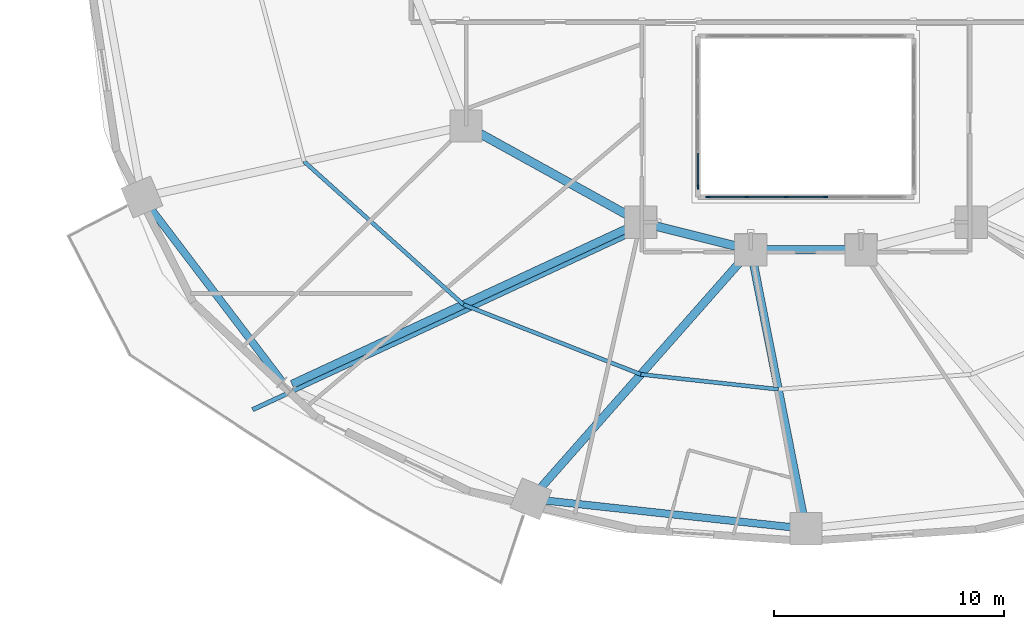
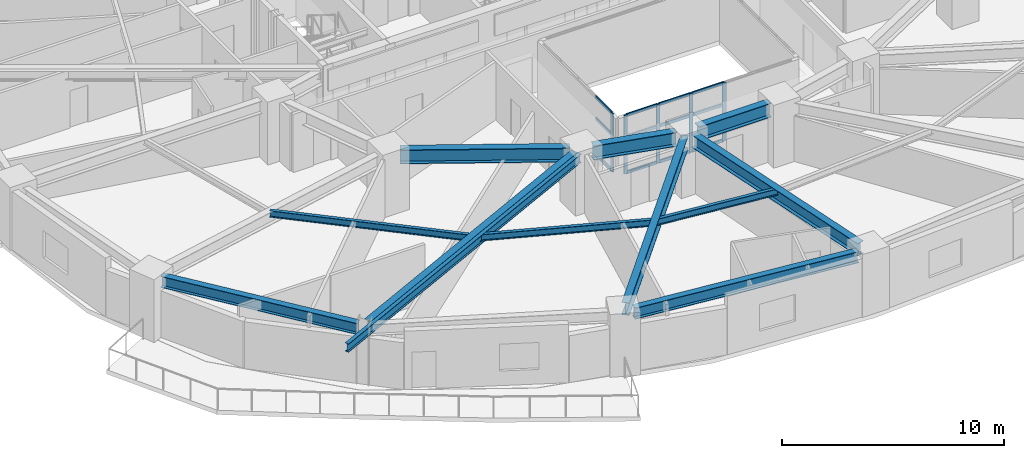
# One storey, part 3 of 17: 17 members, 12 beams, 2 elements without a shape of their own.
"""IFC4 building model written with IfcOpenShell, lengths in metres."""

from ifc_helpers import new_model, si_unit, direction, frame, origin, origin_2d, place, context, subcontext, project, spatial, rectangle, i_section, extrude, material, material_profile, profile_set, type_object, element, aggregate, save


model = new_model("IFC4")

# Units and contexts
model_context = context("Model", 3, precision=1e-05, world=origin(), true_north=direction((0.0, 1.0)))
body_context = subcontext(model_context, "Body", "Model", "MODEL_VIEW")
ifc_project = project(units=[si_unit("LENGTHUNIT", "METRE"), si_unit("AREAUNIT", "SQUARE_METRE"), si_unit("VOLUMEUNIT", "CUBIC_METRE"), si_unit("PLANEANGLEUNIT", "RADIAN"), si_unit("MASSUNIT", "GRAM", prefix="KILO")], contexts=[model_context])

# Site, building, storey
site_placement = place(None, origin())
site = spatial("IfcSite", under=ifc_project, at=site_placement, CompositionType="ELEMENT")
building_placement = place(site_placement, origin())
building = spatial("IfcBuilding", under=site, at=building_placement, Name="Haldorwick Loom Tower", CompositionType="ELEMENT")
storey_placement = place(building_placement, frame((0.0, 0.0, 58.5)))
storey = spatial("IfcBuildingStorey", under=building, at=storey_placement, Name="L15", CompositionType="ELEMENT", Elevation=58.5)

# Curtain wall, members
ifc_material_1 = material(Name="Thermally Broken Anodized Aluminium Curtain Wall Framing", Category="aluminium")
curtain_wall_type = type_object("IfcCurtainWallType", Name="ARC-CW-03", PredefinedType="NOTDEFINED", material=ifc_material_1)
curtain_wall_1_placement = place(storey_placement, origin())
curtain_wall_1 = element("IfcCurtainWall", 1, at=curtain_wall_1_placement, inside=storey, type_object=curtain_wall_type, Name="L15 Atrium Glazed Screen S", PredefinedType="NOTDEFINED")
ifc_material_profile_1 = material_profile(ifc_material_1, rectangle(XDim=0.06591796875, YDim=0.18505859375, at=origin_2d()), Name="ALU_MUL_66X185", Category="aluminium")
ifc_profile_set_1 = profile_set([ifc_material_profile_1], Name="Thermally Broken Anodized Aluminium Curtain Wall Framing")
member_type_1 = type_object("IfcMemberType", Name="ARC-CWM-03", PredefinedType="MULLION", material=ifc_profile_set_1)
member_1_placement = place(storey_placement, frame((36.860107421875, 16.699951171875, 0.0), z_axis=(0.0, 0.0, 1.0), x_axis=(0.0, -1.0, 0.0)))
member_1 = element("IfcMember", 2, at=member_1_placement, type_object=member_type_1, Name="CW-03 mullion 3", PredefinedType="MULLION", context=body_context, shape_type="SweptSolid", body=[
    extrude(rectangle(XDim=0.06591796875, YDim=0.18505859375, at=origin_2d()), origin(), (0.0, 0.0, 1.0), 3.2099609375),
])
member_2_placement = place(storey_placement, frame((35.139892578125, 16.699951171875, 0.0), z_axis=(0.0, 0.0, 1.0), x_axis=(0.0, -1.0, 0.0)))
member_2 = element("IfcMember", 3, at=member_2_placement, type_object=member_type_1, Name="CW-03 mullion 4", PredefinedType="MULLION", context=body_context, shape_type="SweptSolid", body=[
    extrude(rectangle(XDim=0.06591796875, YDim=0.18505859375, at=origin_2d()), origin(), (0.0, 0.0, 1.0), 3.2099609375),
])
member_3_placement = place(storey_placement, frame((33.419921875, 16.699951171875, 0.0), z_axis=(0.0, 0.0, 1.0), x_axis=(0.0, -1.0, 0.0)))
member_3 = element("IfcMember", 4, at=member_3_placement, type_object=member_type_1, Name="CW-03 mullion 5", PredefinedType="MULLION", context=body_context, shape_type="SweptSolid", body=[
    extrude(rectangle(XDim=0.06591796875, YDim=0.18505859375, at=origin_2d()), origin(), (0.0, 0.0, 1.0), 3.2099609375),
])
member_4_placement = place(storey_placement, frame((31.73291015625, 16.699951171875, 0.0), z_axis=(0.0, 0.0, 1.0), x_axis=(0.0, -1.0, 0.0)))
member_4 = element("IfcMember", 5, at=member_4_placement, type_object=member_type_1, Name="CW-03 mullion 6", PredefinedType="MULLION", context=body_context, shape_type="SweptSolid", body=[
    extrude(rectangle(XDim=0.06591796875, YDim=0.18505859375, at=origin_2d()), origin(), (0.0, 0.0, 1.0), 3.2099609375),
])

# Curtain wall, member
curtain_wall_2_placement = place(storey_placement, origin())
curtain_wall_2 = element("IfcCurtainWall", 6, at=curtain_wall_2_placement, inside=storey, type_object=curtain_wall_type, Name="L15 Atrium Glazed Screen W", PredefinedType="NOTDEFINED")
member_5_placement = place(storey_placement, frame((31.300048828125, 17.133056640625, 0.0), z_axis=(0.0, 0.0, 1.0), x_axis=(-1.0, 0.0, 0.0)))
member_5 = element("IfcMember", 7, at=member_5_placement, type_object=member_type_1, Name="CW-03 mullion 1", PredefinedType="MULLION", context=body_context, shape_type="SweptSolid", body=[
    extrude(rectangle(XDim=0.06591796875, YDim=0.18505859375, at=origin_2d()), origin(), (0.0, 0.0, 1.0), 3.2099609375),
])

# Member
ifc_material_profile_2 = material_profile(ifc_material_1, rectangle(XDim=0.06591796875, YDim=0.1650390625, at=origin_2d()), Name="ALU_TRN_66X165", Category="aluminium")
ifc_profile_set_2 = profile_set([ifc_material_profile_2], Name="Thermally Broken Anodized Aluminium Curtain Wall Framing")
member_type_2 = type_object("IfcMemberType", Name="ARC-CWT-03", PredefinedType="USERDEFINED", material=ifc_profile_set_2)
member_6_placement = place(storey_placement, frame((36.826904296875, 16.699951171875, 0.032958984375), z_axis=(-1.0, 0.0, 0.0), x_axis=(0.0, -1.0, 0.0)))
member_6 = element("IfcMember", 8, at=member_6_placement, type_object=member_type_2, Name="CW-03 transom 3.1", ObjectType="TRANSOM", PredefinedType="USERDEFINED", context=body_context, shape_type="SweptSolid", body=[
    extrude(rectangle(XDim=0.06591796875, YDim=0.1650390625, at=origin_2d()), origin(), (0.0, 0.0, 1.0), 1.65380859375),
])

member_7_placement = place(storey_placement, frame((36.826904296875, 16.699951171875, 2.0), z_axis=(-1.0, 0.0, 0.0), x_axis=(0.0, -1.0, 0.0)))
member_7 = element("IfcMember", 9, at=member_7_placement, type_object=member_type_2, Name="CW-03 transom 3.2", ObjectType="TRANSOM", PredefinedType="USERDEFINED", context=body_context, shape_type="SweptSolid", body=[
    extrude(rectangle(XDim=0.06591796875, YDim=0.1650390625, at=origin_2d()), origin(), (0.0, 0.0, 1.0), 1.65380859375),
])

member_8_placement = place(storey_placement, frame((36.826904296875, 16.699951171875, 3.177001953125), z_axis=(-1.0, 0.0, 0.0), x_axis=(0.0, -1.0, 0.0)))
member_8 = element("IfcMember", 10, at=member_8_placement, type_object=member_type_2, Name="CW-03 transom 3.3", ObjectType="TRANSOM", PredefinedType="USERDEFINED", context=body_context, shape_type="SweptSolid", body=[
    extrude(rectangle(XDim=0.06591796875, YDim=0.1650390625, at=origin_2d()), origin(), (0.0, 0.0, 1.0), 1.65380859375),
])

member_9_placement = place(storey_placement, frame((35.10693359375, 16.699951171875, 0.032958984375), z_axis=(-1.0, 0.0, 0.0), x_axis=(0.0, -1.0, 0.0)))
member_9 = element("IfcMember", 11, at=member_9_placement, type_object=member_type_2, Name="CW-03 transom 4.1", ObjectType="TRANSOM", PredefinedType="USERDEFINED", context=body_context, shape_type="SweptSolid", body=[
    extrude(rectangle(XDim=0.06591796875, YDim=0.1650390625, at=origin_2d()), origin(), (0.0, 0.0, 1.0), 1.654052734375),
])

member_10_placement = place(storey_placement, frame((35.10693359375, 16.699951171875, 2.0), z_axis=(-1.0, 0.0, 0.0), x_axis=(0.0, -1.0, 0.0)))
member_10 = element("IfcMember", 12, at=member_10_placement, type_object=member_type_2, Name="CW-03 transom 4.2", ObjectType="TRANSOM", PredefinedType="USERDEFINED", context=body_context, shape_type="SweptSolid", body=[
    extrude(rectangle(XDim=0.06591796875, YDim=0.1650390625, at=origin_2d()), origin(), (0.0, 0.0, 1.0), 1.654052734375),
])

member_11_placement = place(storey_placement, frame((35.10693359375, 16.699951171875, 3.177001953125), z_axis=(-1.0, 0.0, 0.0), x_axis=(0.0, -1.0, 0.0)))
member_11 = element("IfcMember", 13, at=member_11_placement, type_object=member_type_2, Name="CW-03 transom 4.3", ObjectType="TRANSOM", PredefinedType="USERDEFINED", context=body_context, shape_type="SweptSolid", body=[
    extrude(rectangle(XDim=0.06591796875, YDim=0.1650390625, at=origin_2d()), origin(), (0.0, 0.0, 1.0), 1.654052734375),
])

member_12_placement = place(storey_placement, frame((33.386962890625, 16.699951171875, 0.032958984375), z_axis=(-1.0, 0.0, 0.0), x_axis=(0.0, -1.0, 0.0)))
member_12 = element("IfcMember", 14, at=member_12_placement, type_object=member_type_2, Name="CW-03 transom 5.1", ObjectType="TRANSOM", PredefinedType="USERDEFINED", context=body_context, shape_type="SweptSolid", body=[
    extrude(rectangle(XDim=0.06591796875, YDim=0.1650390625, at=origin_2d()), origin(), (0.0, 0.0, 1.0), 1.620849609375),
])

member_13_placement = place(storey_placement, frame((33.386962890625, 16.699951171875, 2.0), z_axis=(-1.0, 0.0, 0.0), x_axis=(0.0, -1.0, 0.0)))
member_13 = element("IfcMember", 15, at=member_13_placement, type_object=member_type_2, Name="CW-03 transom 5.2", ObjectType="TRANSOM", PredefinedType="USERDEFINED", context=body_context, shape_type="SweptSolid", body=[
    extrude(rectangle(XDim=0.06591796875, YDim=0.1650390625, at=origin_2d()), origin(), (0.0, 0.0, 1.0), 1.620849609375),
])

member_14_placement = place(storey_placement, frame((33.386962890625, 16.699951171875, 3.177001953125), z_axis=(-1.0, 0.0, 0.0), x_axis=(0.0, -1.0, 0.0)))
member_14 = element("IfcMember", 16, at=member_14_placement, type_object=member_type_2, Name="CW-03 transom 5.3", ObjectType="TRANSOM", PredefinedType="USERDEFINED", context=body_context, shape_type="SweptSolid", body=[
    extrude(rectangle(XDim=0.06591796875, YDim=0.1650390625, at=origin_2d()), origin(), (0.0, 0.0, 1.0), 1.620849609375),
])

aggregate(curtain_wall_1, [member_1, member_2, member_3, member_4, member_6, member_7, member_8, member_9, member_10, member_11, member_12, member_13, member_14])

member_15_placement = place(storey_placement, frame((31.300048828125, 17.166015625, 0.032958984375), z_axis=(0.0, 1.0, 0.0), x_axis=(-1.0, 0.0, 0.0)))
member_15 = element("IfcMember", 17, at=member_15_placement, type_object=member_type_2, Name="CW-03 transom 1.1", ObjectType="TRANSOM", PredefinedType="USERDEFINED", context=body_context, shape_type="SweptSolid", body=[
    extrude(rectangle(XDim=0.06591796875, YDim=0.1650390625, at=origin_2d()), origin(), (0.0, 0.0, 1.0), 1.450927734375),
])

member_16_placement = place(storey_placement, frame((31.300048828125, 17.166015625, 2.0), z_axis=(0.0, 1.0, 0.0), x_axis=(-1.0, 0.0, 0.0)))
member_16 = element("IfcMember", 18, at=member_16_placement, type_object=member_type_2, Name="CW-03 transom 1.2", ObjectType="TRANSOM", PredefinedType="USERDEFINED", context=body_context, shape_type="SweptSolid", body=[
    extrude(rectangle(XDim=0.06591796875, YDim=0.1650390625, at=origin_2d()), origin(), (0.0, 0.0, 1.0), 1.450927734375),
])

member_17_placement = place(storey_placement, frame((31.300048828125, 17.166015625, 3.177001953125), z_axis=(0.0, 1.0, 0.0), x_axis=(-1.0, 0.0, 0.0)))
member_17 = element("IfcMember", 19, at=member_17_placement, type_object=member_type_2, Name="CW-03 transom 1.3", ObjectType="TRANSOM", PredefinedType="USERDEFINED", context=body_context, shape_type="SweptSolid", body=[
    extrude(rectangle(XDim=0.06591796875, YDim=0.1650390625, at=origin_2d()), origin(), (0.0, 0.0, 1.0), 1.450927734375),
])

aggregate(curtain_wall_2, [member_5, member_15, member_16, member_17])

# Beams
ifc_material_2 = material(Name="Steel CSA G40.21 350W", Category="steel")
ifc_material_profile_3 = material_profile(ifc_material_2, i_section(OverallWidth=0.193115234375, OverallDepth=0.466064453125, WebThickness=0.011474609375, FlangeThickness=0.01904296875, at=origin_2d()), Name="W460X97", Category="steel")
ifc_profile_set_3 = profile_set([ifc_material_profile_3], Name="Steel CSA G40.21 350W")
beam_type_1 = type_object("IfcBeamType", Name="STR-BM-BAL460", PredefinedType="BEAM", material=ifc_profile_set_3)
beam_1_placement = place(storey_placement, frame((28.446533203125, 15.126953125, 2.97705078125), z_axis=(-0.906840784049, -0.421473359047, 0.0), x_axis=(0.421473359047, -0.906840784049, 0.0)))
element("IfcBeam", 20, at=beam_1_placement, inside=storey, type_object=beam_type_1, Name="L15 Continuous Back-Spanned Balcony Beam 2", PredefinedType="BEAM", context=body_context, shape_type="SweptSolid", body=[
    extrude(i_section(OverallWidth=0.193115234375, OverallDepth=0.466064453125, WebThickness=0.011474609375, FlangeThickness=0.01904296875, at=origin_2d()), origin(), (0.0, 0.0, 1.0), 18.245361328125),
])
ifc_material_profile_4 = material_profile(ifc_material_2, i_section(OverallWidth=0.172119140625, OverallDepth=0.35791015625, WebThickness=0.0078125, FlangeThickness=0.01318359375, at=origin_2d()), Name="W360X57", Category="steel")
ifc_profile_set_4 = profile_set([ifc_material_profile_4], Name="Steel CSA G40.21 350W")
beam_type_2 = type_object("IfcBeamType", Name="STR-BM-J360", PredefinedType="JOIST", material=ifc_profile_set_4)
beam_2_placement = place(storey_placement, frame((14.141357421875, 18.25048828125, 3.031005859375), z_axis=(0.743981830112, -0.668199847698, 0.0), x_axis=(0.668199847698, 0.743981830112, 0.0)))
element("IfcBeam", 21, at=beam_2_placement, inside=storey, type_object=beam_type_2, Name="L15 Mid-Bay Secondary Joist 10", PredefinedType="JOIST", context=body_context, shape_type="SweptSolid", body=[
    extrude(i_section(OverallWidth=0.172119140625, OverallDepth=0.35791015625, WebThickness=0.0078125, FlangeThickness=0.01318359375, at=origin_2d()), origin(), (0.0, 0.0, 1.0), 9.3330078125),
])
beam_3_placement = place(storey_placement, frame((21.0849609375, 12.01416015625, 3.031005859375), z_axis=(0.930584838237, -0.366076301941, 0.0), x_axis=(0.366076301941, 0.930584838237, 0.0)))
element("IfcBeam", 22, at=beam_3_placement, inside=storey, type_object=beam_type_2, Name="L15 Mid-Bay Secondary Joist 11", PredefinedType="JOIST", context=body_context, shape_type="SweptSolid", body=[
    extrude(i_section(OverallWidth=0.172119140625, OverallDepth=0.35791015625, WebThickness=0.0078125, FlangeThickness=0.01318359375, at=origin_2d()), origin(), (0.0, 0.0, 1.0), 8.302490234375),
])
beam_4_placement = place(storey_placement, frame((28.81103515625, 8.974853515625, 3.031005859375), z_axis=(0.994163660215, -0.107882420753, 0.0), x_axis=(0.107882420753, 0.994163660215, 0.0)))
element("IfcBeam", 23, at=beam_4_placement, inside=storey, type_object=beam_type_2, Name="L15 Mid-Bay Secondary Joist 12", PredefinedType="JOIST", context=body_context, shape_type="SweptSolid", body=[
    extrude(i_section(OverallWidth=0.172119140625, OverallDepth=0.35791015625, WebThickness=0.0078125, FlangeThickness=0.01318359375, at=origin_2d()), origin(), (0.0, 0.0, 1.0), 6.024169921875),
])
ifc_material_profile_5 = material_profile(ifc_material_2, i_section(OverallWidth=0.324951171875, OverallDepth=0.615966796875, WebThickness=0.013916015625, FlangeThickness=0.021484375, at=origin_2d()), Name="W610X174", Category="steel")
ifc_profile_set_5 = profile_set([ifc_material_profile_5], Name="Steel CSA G40.21 350W")
beam_type_3 = type_object("IfcBeamType", Name="STR-BM-SP610", PredefinedType="SPANDREL", material=ifc_profile_set_5)
beam_5_placement = place(storey_placement, frame((7.397216796875, 16.286865234375, 2.902099609375), z_axis=(0.605084557744, -0.796161213562, 0.0), x_axis=(0.796161213562, 0.605084557744, 0.0)))
element("IfcBeam", 24, at=beam_5_placement, inside=storey, type_object=beam_type_3, Name="L15 Perimeter Spandrel 10", PredefinedType="SPANDREL", context=body_context, shape_type="SweptSolid", body=[
    extrude(i_section(OverallWidth=0.324951171875, OverallDepth=0.615966796875, WebThickness=0.013916015625, FlangeThickness=0.021484375, at=origin_2d()), origin(), (0.0, 0.0, 1.0), 9.595703125),
])
beam_6_placement = place(storey_placement, frame((24.5390625, 3.49365234375, 2.902099609375), z_axis=(0.994164438636, -0.107875247167, 0.0), x_axis=(0.107875247167, 0.994164438636, 0.0)))
element("IfcBeam", 25, at=beam_6_placement, inside=storey, type_object=beam_type_3, Name="L15 Perimeter Spandrel 12", PredefinedType="SPANDREL", context=body_context, shape_type="SweptSolid", body=[
    extrude(i_section(OverallWidth=0.324951171875, OverallDepth=0.615966796875, WebThickness=0.013916015625, FlangeThickness=0.021484375, at=origin_2d()), origin(), (0.0, 0.0, 1.0), 11.008056640625),
])
ifc_material_profile_6 = material_profile(ifc_material_2, i_section(OverallWidth=0.35498046875, OverallDepth=0.695068359375, WebThickness=0.015380859375, FlangeThickness=0.02490234375, at=origin_2d()), Name="W690X217", Category="steel")
ifc_profile_set_6 = profile_set([ifc_material_profile_6], Name="Steel CSA G40.21 350W")
beam_type_4 = type_object("IfcBeamType", Name="STR-BM-W690", PredefinedType="BEAM", material=ifc_profile_set_6)
beam_7_placement = place(storey_placement, frame((28.328369140625, 15.380859375, 2.862548828125), z_axis=(-0.90683498532, -0.421485835349, 0.0), x_axis=(0.421485835349, -0.90683498532, 0.0)))
element("IfcBeam", 26, at=beam_7_placement, inside=storey, type_object=beam_type_4, Name="L15 Radial Floor Girder 11", PredefinedType="BEAM", context=body_context, shape_type="SweptSolid", body=[
    extrude(i_section(OverallWidth=0.35498046875, OverallDepth=0.695068359375, WebThickness=0.015380859375, FlangeThickness=0.02490234375, at=origin_2d()), origin(), (0.0, 0.0, 1.0), 16.220458984375),
])
beam_8_placement = place(storey_placement, frame((33.255859375, 14.01025390625, 2.862548828125), z_axis=(-0.661774304332, -0.749703121326, 0.0), x_axis=(0.749703121326, -0.661774304332, 0.0)))
element("IfcBeam", 27, at=beam_8_placement, inside=storey, type_object=beam_type_4, Name="L15 Radial Floor Girder 12", PredefinedType="BEAM", context=body_context, shape_type="SweptSolid", body=[
    extrude(i_section(OverallWidth=0.35498046875, OverallDepth=0.695068359375, WebThickness=0.015380859375, FlangeThickness=0.02490234375, at=origin_2d()), origin(), (0.0, 0.0, 1.0), 13.43310546875),
])
beam_9_placement = place(storey_placement, frame((33.70068359375, 13.889892578125, 2.862548828125), z_axis=(0.193785651115, -0.981043893729, 0.0), x_axis=(0.981043893729, 0.193785651115, 0.0)))
element("IfcBeam", 28, at=beam_9_placement, inside=storey, type_object=beam_type_4, Name="L15 Radial Floor Girder 13", PredefinedType="BEAM", context=body_context, shape_type="SweptSolid", body=[
    extrude(i_section(OverallWidth=0.35498046875, OverallDepth=0.695068359375, WebThickness=0.015380859375, FlangeThickness=0.02490234375, at=origin_2d()), origin(), (0.0, 0.0, 1.0), 11.344970703125),
])
ifc_material_profile_7 = material_profile(ifc_material_2, i_section(OverallWidth=0.381103515625, OverallDepth=0.77294921875, WebThickness=0.0166015625, FlangeThickness=0.027587890625, at=origin_2d()), Name="W760X257", Category="steel")
ifc_profile_set_7 = profile_set([ifc_material_profile_7], Name="Steel CSA G40.21 350W")
beam_type_5 = type_object("IfcBeamType", Name="STR-BM-W760", PredefinedType="BEAM", material=ifc_profile_set_7)
beam_10_placement = place(storey_placement, frame((37.8798828125, 14.39990234375, 2.823486328125), z_axis=(-1.0, 0.0, 0.0), x_axis=(0.0, -1.0, 0.0)))
element("IfcBeam", 29, at=beam_10_placement, inside=storey, type_object=beam_type_5, Name="L15 Inner Ring Girder 5", PredefinedType="BEAM", context=body_context, shape_type="SweptSolid", body=[
    extrude(i_section(OverallWidth=0.381103515625, OverallDepth=0.77294921875, WebThickness=0.0166015625, FlangeThickness=0.027587890625, at=origin_2d()), origin(), (0.0, 0.0, 1.0), 3.759765625),
])
beam_11_placement = place(storey_placement, frame((33.095458984375, 14.526123046875, 2.823486328125), z_axis=(-0.970142500145, 0.242535625036, 0.0), x_axis=(-0.242535625036, -0.970142500145, 0.0)))
element("IfcBeam", 30, at=beam_11_placement, inside=storey, type_object=beam_type_5, Name="L15 Inner Ring Girder 6", PredefinedType="BEAM", context=body_context, shape_type="SweptSolid", body=[
    extrude(i_section(OverallWidth=0.381103515625, OverallDepth=0.77294921875, WebThickness=0.0166015625, FlangeThickness=0.027587890625, at=origin_2d()), origin(), (0.0, 0.0, 1.0), 3.90771484375),
])
beam_12_placement = place(storey_placement, frame((28.344970703125, 15.8515625, 2.823486328125), z_axis=(-0.875244382146, 0.483680960471, 0.0), x_axis=(-0.483680960471, -0.875244382146, 0.0)))
element("IfcBeam", 31, at=beam_12_placement, inside=storey, type_object=beam_type_5, Name="L15 Inner Ring Girder 7", PredefinedType="BEAM", context=body_context, shape_type="SweptSolid", body=[
    extrude(i_section(OverallWidth=0.381103515625, OverallDepth=0.77294921875, WebThickness=0.0166015625, FlangeThickness=0.027587890625, at=origin_2d()), origin(), (0.0, 0.0, 1.0), 7.6435546875),
])

save(model, "model.ifc")
